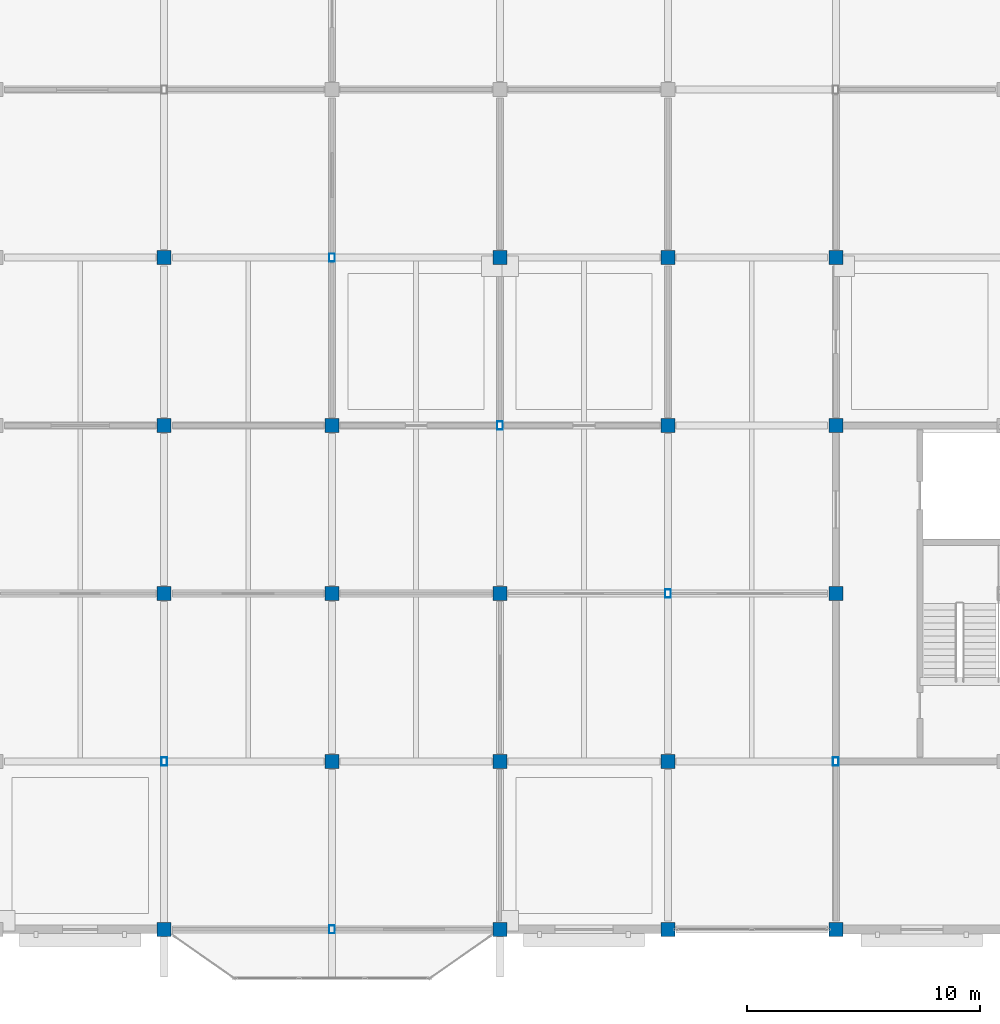
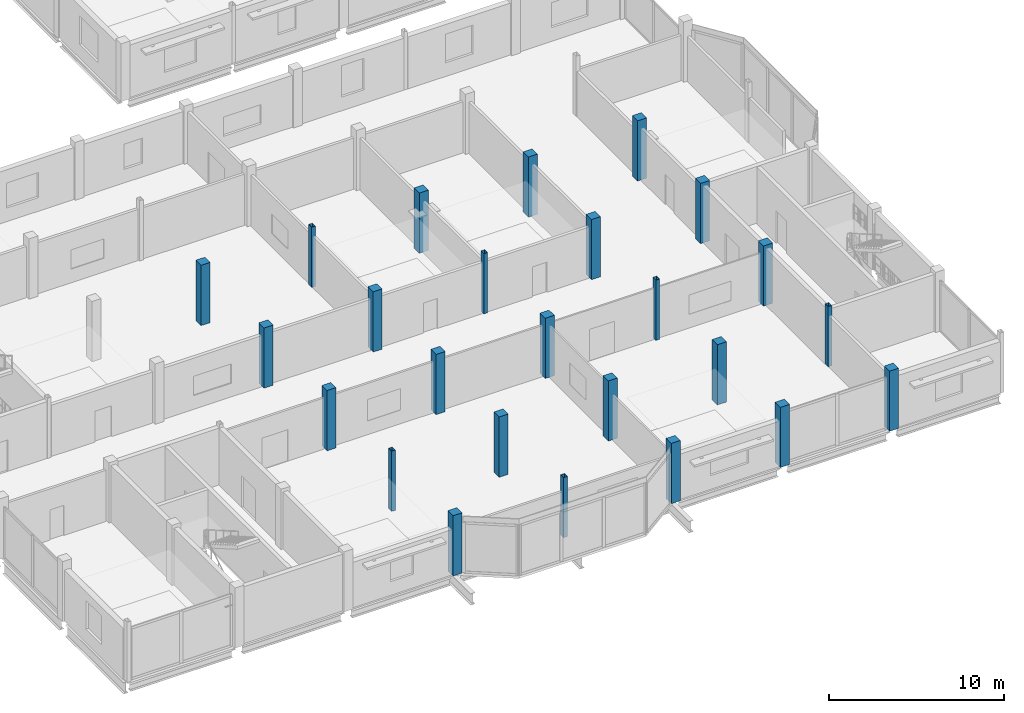
# One storey, part 5 of 51: 25 columns.
"""IFC4 building model written with IfcOpenShell, lengths in metres."""

from ifc_helpers import new_model, si_unit, direction, frame, origin, origin_2d, place, context, subcontext, project, spatial, rectangle, hollow_rectangle, extrude, material, material_profile, profile_set, type_object, element, save


model = new_model("IFC4")

# Units and contexts
model_context = context("Model", 3, precision=1e-05, world=origin(), true_north=direction((0.0, 1.0)))
body_context = subcontext(model_context, "Body", "Model", "MODEL_VIEW")
ifc_project = project(units=[si_unit("LENGTHUNIT", "METRE"), si_unit("AREAUNIT", "SQUARE_METRE"), si_unit("VOLUMEUNIT", "CUBIC_METRE"), si_unit("PLANEANGLEUNIT", "RADIAN"), si_unit("MASSUNIT", "GRAM", prefix="KILO")], contexts=[model_context])

# Site, building, storey
site_placement = place(None, origin())
site = spatial("IfcSite", under=ifc_project, at=site_placement, CompositionType="ELEMENT")
building_placement = place(site_placement, origin())
building = spatial("IfcBuilding", under=site, at=building_placement, Name="Vesperath Aquatics Centre", CompositionType="ELEMENT")
storey_placement = place(building_placement, frame((0.0, 0.0, 15.0)))
storey = spatial("IfcBuildingStorey", under=building, at=storey_placement, Name="L03", CompositionType="ELEMENT", Elevation=15.0)

# Columns
ifc_material_1 = material(Name="Concrete C40", Category="concrete")
ifc_material_profile_1 = material_profile(ifc_material_1, rectangle(XDim=0.60009765625, YDim=0.60009765625, at=origin_2d()), Name="RC 600x600")
ifc_profile_set_1 = profile_set([ifc_material_profile_1], Name="Concrete C40")
column_type_1 = type_object("IfcColumnType", Name="CL-C06", PredefinedType="COLUMN", material=ifc_profile_set_1)
for number, where, z_axis, x_axis, name in (
    (1, (136.800048828125, 0.0, 0.0), (0.0, 0.0, 1.0), (1.0, 0.0, 0.0), "Column C06 L03 20/A"),
    (2, (136.800048828125, 14.39990234375, 0.0), (0.0, 0.0, 1.0), (1.0, 0.0, 0.0), "Column C06 L03 20/C"),
    (3, (136.800048828125, 21.60009765625, 0.0), (0.0, 0.0, 1.0), (1.0, 0.0, 0.0), "Column C06 L03 20/D"),
    (4, (136.800048828125, 28.800048828125, 0.0), (0.0, 0.0, 1.0), (1.0, 0.0, 0.0), "Column C06 L03 20/E"),
    (5, (144.0, 7.199951171875, 0.0), (0.0, 0.0, 1.0), (1.0, 0.0, 0.0), "Column C06 L03 21/B"),
    (6, (144.0, 14.39990234375, 0.0), (0.0, 0.0, 1.0), (1.0, 0.0, 0.0), "Column C06 L03 21/C"),
    (7, (144.0, 21.60009765625, 0.0), (0.0, 0.0, 1.0), (1.0, 0.0, 0.0), "Column C06 L03 21/D"),
    (8, (151.199951171875, 0.0, 0.0), (0.0, 0.0, 1.0), (1.0, 0.0, 0.0), "Column C06 L03 22/A"),
    (9, (151.199951171875, 7.199951171875, 0.0), (0.0, 0.0, 1.0), (1.0, 0.0, 0.0), "Column C06 L03 22/B"),
    (10, (151.199951171875, 14.39990234375, 0.0), (0.0, 0.0, 1.0), (1.0, 0.0, 0.0), "Column C06 L03 22/C"),
    (11, (151.199951171875, 28.800048828125, 0.0), (0.0, 0.0, 1.0), (1.0, 0.0, 0.0), "Column C06 L03 22/E"),
    (12, (158.39990234375, 0.0, 0.0), (0.0, 0.0, 1.0), (1.0, 0.0, 0.0), "Column C06 L03 23/A"),
    (13, (158.39990234375, 7.199951171875, 0.0), (0.0, 0.0, 1.0), (1.0, 0.0, 0.0), "Column C06 L03 23/B"),
    (14, (158.39990234375, 21.60009765625, 0.0), (0.0, 0.0, 1.0), (1.0, 0.0, 0.0), "Column C06 L03 23/D"),
    (15, (158.39990234375, 28.800048828125, 0.0), (0.0, 0.0, 1.0), (1.0, 0.0, 0.0), "Column C06 L03 23/E"),
    (16, (165.60009765625, 0.0, 0.0), (0.0, 0.0, 1.0), (1.0, 0.0, 0.0), "Column C06 L03 24/A"),
    (17, (165.60009765625, 14.39990234375, 0.0), (0.0, 0.0, 1.0), (1.0, 0.0, 0.0), "Column C06 L03 24/C"),
    (18, (165.60009765625, 21.60009765625, 0.0), (0.0, 0.0, 1.0), (1.0, 0.0, 0.0), "Column C06 L03 24/D"),
    (19, (165.60009765625, 28.800048828125, 0.0), (0.0, 0.0, 1.0), (1.0, 0.0, 0.0), "Column C06 L03 24/E"),
):
    element("IfcColumn", number, at=place(storey_placement, frame(where, z_axis=z_axis, x_axis=x_axis)), inside=storey, type_object=column_type_1, Name=name, PredefinedType="COLUMN", context=body_context, shape_type="SweptSolid", body=[
        extrude(rectangle(XDim=0.60009765625, YDim=0.60009765625, at=origin_2d()), origin(), (0.0, 0.0, 1.0), 4.199951171875),
    ])
ifc_material_2 = material(Name="Steel Q355C", Category="steel")
ifc_material_profile_2 = material_profile(ifc_material_2, hollow_rectangle(XDim=0.25, YDim=0.35009765625, WallThickness=0.011962890625, at=origin_2d()), Name="RHS 350x250x12")
ifc_profile_set_2 = profile_set([ifc_material_profile_2], Name="Steel Q355C")
column_type_2 = type_object("IfcColumnType", Name="CL-C16", PredefinedType="COLUMN", material=ifc_profile_set_2)
for number, where, z_axis, x_axis, name in (
    (20, (136.800048828125, 7.199951171875, 0.0), (0.0, 0.0, 1.0), (1.0, 0.0, 0.0), "Column C16 L03 20/B"),
    (21, (144.0, 0.0, 0.0), (0.0, 0.0, 1.0), (1.0, 0.0, 0.0), "Column C16 L03 21/A"),
    (22, (144.0, 28.800048828125, 0.0), (0.0, 0.0, 1.0), (1.0, 0.0, 0.0), "Column C16 L03 21/E"),
    (23, (151.199951171875, 21.60009765625, 0.0), (0.0, 0.0, 1.0), (1.0, 0.0, 0.0), "Column C16 L03 22/D"),
    (24, (158.39990234375, 14.39990234375, 0.0), (0.0, 0.0, 1.0), (1.0, 0.0, 0.0), "Column C16 L03 23/C"),
    (25, (165.60009765625, 7.199951171875, 0.0), (0.0, 0.0, 1.0), (1.0, 0.0, 0.0), "Column C16 L03 24/B"),
):
    element("IfcColumn", number, at=place(storey_placement, frame(where, z_axis=z_axis, x_axis=x_axis)), inside=storey, type_object=column_type_2, Name=name, PredefinedType="COLUMN", context=body_context, shape_type="SweptSolid", body=[
        extrude(hollow_rectangle(XDim=0.25, YDim=0.35009765625, WallThickness=0.011962890625, at=origin_2d()), origin(), (0.0, 0.0, 1.0), 4.199951171875),
    ])

save(model, "model.ifc")
